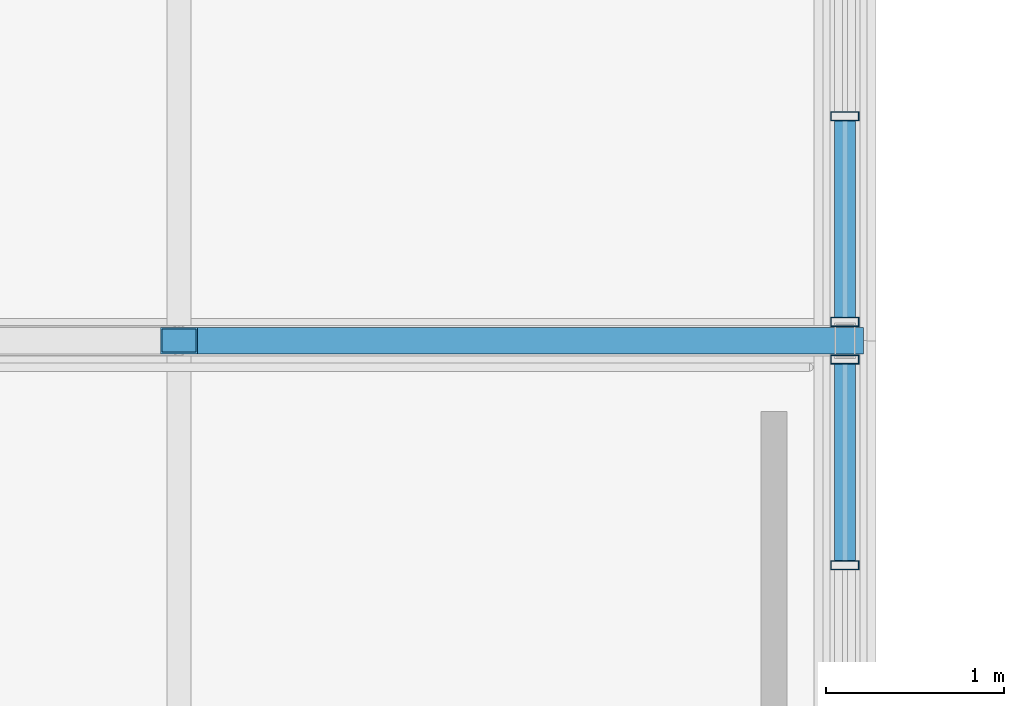
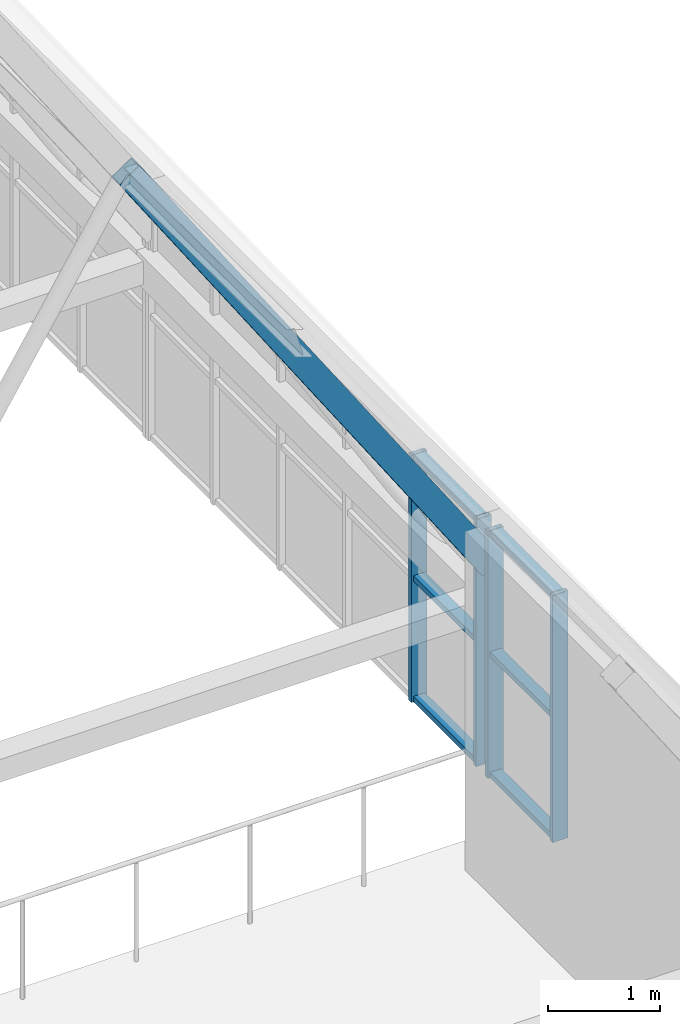
# One storey, part 220 of 324: 11 members, 2 elements without a shape of their own.
"""IFC4 building model written with IfcOpenShell, lengths in metres."""

import ifcopenshell
import ifcopenshell.guid

model = None  # the IFC model being written
_history = None  # IfcOwnerHistory: only IFC2X3 demands one
_inside = {}  # id of a spatial element -> (the spatial element, [elements in it])
_under = {}  # id of a project, library or spatial element -> (it, [spatial elements below it])
_declared = {}  # id of a project -> (the project, [libraries it declares])
_typed = {}  # id of a type object -> (the type object, [elements of that type])
_made_of = {}  # id of a material, layer set ... -> (it, [elements and type objects made of it])


def new_model(schema):
    """Start an empty IFC model of exactly this schema.

    Asked for "IFC4X3", IfcOpenShell would pick the latest addendum, in which some entities
    have other attributes; the version numbers below select the first issue.
    IFC2X3 requires an IfcOwnerHistory on every rooted entity: one is made here for all.
    """
    global model, _history
    if schema == "IFC4X3":
        model = ifcopenshell.file(schema_version=(4, 3, 0, 0))
    else:
        model = ifcopenshell.file(schema=schema)
    _inside.clear()
    _under.clear()
    _declared.clear()
    _typed.clear()
    _made_of.clear()
    _history = None
    if model.schema == "IFC2X3":
        org = make("IfcOrganization", Name="unknown")
        user = make(
            "IfcPersonAndOrganization",
            ThePerson=make("IfcPerson", FamilyName="unknown"),
            TheOrganization=org,
        )
        app = make(
            "IfcApplication",
            ApplicationDeveloper=org,
            Version="unknown",
            ApplicationFullName="unknown",
            ApplicationIdentifier="unknown",
        )
        _history = make(
            "IfcOwnerHistory",
            OwningUser=user,
            OwningApplication=app,
            ChangeAction="ADDED",
            CreationDate=0,
        )
    return model


def make(cls, **values):
    """One entity of the class cls with the attributes given. An attribute that is None is left unset."""
    return model.create_entity(
        cls, **{name: value for name, value in values.items() if value is not None}
    )


def rooted(cls, **values):
    """An entity with a GlobalId (a new one), such as an element, a storey or a relation."""
    return make(cls, GlobalId=ifcopenshell.guid.new(), OwnerHistory=_history, **values)


def si_unit(unit_type, name, prefix=None):
    """IfcSIUnit, for example si_unit("LENGTHUNIT", "METRE", prefix="MILLI")."""
    return make("IfcSIUnit", UnitType=unit_type, Prefix=prefix, Name=name)


def assignment(units):
    """IfcUnitAssignment: the units of a project."""
    return None if units is None else make("IfcUnitAssignment", Units=units)


def point(xyz):
    """IfcCartesianPoint."""
    return None if xyz is None else make("IfcCartesianPoint", Coordinates=xyz)


def direction(xyz):
    """IfcDirection."""
    return None if xyz is None else make("IfcDirection", DirectionRatios=xyz)


def frame(location, z_axis=None, x_axis=None):
    """IfcAxis2Placement3D, a coordinate frame: its origin and axes. An axis left out is left unset."""
    return make(
        "IfcAxis2Placement3D",
        Location=point(location),
        Axis=direction(z_axis),
        RefDirection=direction(x_axis),
    )


def frame_2d(location, x_axis=None):
    """IfcAxis2Placement2D, a coordinate frame in the plane: its origin and x axis."""
    return make(
        "IfcAxis2Placement2D", Location=point(location), RefDirection=direction(x_axis)
    )


def origin():
    """The frame at (0, 0, 0) with its axes left unset."""
    return frame((0.0, 0.0, 0.0))


def origin_2d():
    """The frame at (0, 0) in the plane with its x axis left unset."""
    return frame_2d((0.0, 0.0))


def place(relative_to, where):
    """IfcLocalPlacement: puts the frame where relative to a parent placement (None: the world)."""
    return make(
        "IfcLocalPlacement", PlacementRelTo=relative_to, RelativePlacement=where
    )


def context(
    kind, dimensions, precision=None, world=None, true_north=None, identifier=None
):
    """IfcGeometricRepresentationContext, for example the 3D "Model" context."""
    return make(
        "IfcGeometricRepresentationContext",
        ContextIdentifier=identifier,
        ContextType=kind,
        CoordinateSpaceDimension=dimensions,
        Precision=precision,
        WorldCoordinateSystem=world,
        TrueNorth=true_north,
    )


def subcontext(parent, identifier, kind, view, scale=None):
    """IfcGeometricRepresentationSubContext, for example "Body" below "Model"."""
    return make(
        "IfcGeometricRepresentationSubContext",
        ContextIdentifier=identifier,
        ContextType=kind,
        ParentContext=parent,
        TargetScale=scale,
        TargetView=view,
    )


def project(units=None, contexts=None):
    """IfcProject with its units and contexts."""
    return rooted(
        "IfcProject",
        Name="project",
        RepresentationContexts=contexts,
        UnitsInContext=assignment(units),
    )


def spatial(cls, under=None, at=None, **own):
    """A site, building, storey or space (cls), placed at a placement, below another one or the project."""
    s = rooted(cls, ObjectPlacement=at, **own)
    if under is not None:
        _under.setdefault(under.id(), (under, []))[1].append(s)
    return s


def profile(cls, at=None, kind="AREA", **sizes):
    """A parametric profile (cls). Its sizes go by their IFC names, for example OverallWidth=200.0."""
    return make(cls, ProfileType=kind, Position=at, **sizes)


def hollow_rectangle(**sizes):
    """IfcRectangleHollowProfileDef."""
    return profile("IfcRectangleHollowProfileDef", **sizes)


def extrude(swept, where, along, depth):
    """IfcExtrudedAreaSolid: the profile swept, set in the frame where, extruded along a direction by depth."""
    return make(
        "IfcExtrudedAreaSolid",
        SweptArea=swept,
        Position=where,
        ExtrudedDirection=direction(along),
        Depth=depth,
    )


def shape(context_of_items, identifier, shape_type, items):
    """IfcShapeRepresentation: the items that make up one representation, for example the "Body"."""
    return make(
        "IfcShapeRepresentation",
        ContextOfItems=context_of_items,
        RepresentationIdentifier=identifier,
        RepresentationType=shape_type,
        Items=items,
    )


def material(Name=None, Category=None):
    """IfcMaterial."""
    return make("IfcMaterial", Name=Name, Category=Category)


def layer(
    of_material, thickness, ventilated=None, Name=None, Category=None, Priority=None
):
    """IfcMaterialLayer: one layer of a wall or slab, of a material (None: an air gap)."""
    return make(
        "IfcMaterialLayer",
        Material=of_material,
        LayerThickness=thickness,
        IsVentilated=ventilated,
        Name=Name,
        Category=Category,
        Priority=Priority,
    )


def layer_set(layers, Name=None):
    """IfcMaterialLayerSet."""
    return make("IfcMaterialLayerSet", MaterialLayers=layers, LayerSetName=Name)


def material_profile(
    of_material, cross_section, Name=None, Category=None, Priority=None
):
    """IfcMaterialProfile: a cross section and its material."""
    return make(
        "IfcMaterialProfile",
        Name=Name,
        Material=of_material,
        Profile=cross_section,
        Priority=Priority,
        Category=Category,
    )


def profile_set(profiles, Name=None, composite=None):
    """IfcMaterialProfileSet."""
    return make(
        "IfcMaterialProfileSet",
        Name=Name,
        MaterialProfiles=profiles,
        CompositeProfile=composite,
    )


def made_of(thing, what):
    """Note that an element or type object is made of a material, layer set ...; save() writes the relation."""
    if what is not None:
        _made_of.setdefault(what.id(), (what, []))[1].append(thing)
    return thing


def type_object(cls, material=None, **own):
    """A type object (cls), such as IfcWallType, which elements share."""
    return made_of(rooted(cls, **own), material)


def element(
    cls,
    number,
    at=None,
    inside=None,
    cuts=None,
    type_object=None,
    material=None,
    context=None,
    identifier="Body",
    shape_type=None,
    held_by="IfcProductDefinitionShape",
    body=None,
    shapes=None,
    **own,
):
    """One element of the class cls, such as IfcWall. Its Tag is "e" and its number.

    at: its placement. inside: the storey or other place that contains it. cuts: it is an
    opening in that element (IfcRelVoidsElement). A single representation is given by context,
    identifier, shape_type and body (its items); several are given by shapes. held_by: the class
    of the entity that holds the representations. save() writes the other relations.
    """
    e = rooted(cls, Tag="e%d" % number, ObjectPlacement=at, **own)
    if body is not None:
        shapes = [shape(context, identifier, shape_type, body)]
    if shapes is not None:
        e.Representation = make(held_by, Representations=shapes)
    if inside is not None:
        _inside.setdefault(inside.id(), (inside, []))[1].append(e)
    if cuts is not None:
        rooted(
            "IfcRelVoidsElement", RelatingBuildingElement=cuts, RelatedOpeningElement=e
        )
    if type_object is not None:
        _typed.setdefault(type_object.id(), (type_object, []))[1].append(e)
    return made_of(e, material)


def aggregate(whole, parts):
    """IfcRelAggregates: a whole, such as a stair, and the parts it consists of."""
    return rooted("IfcRelAggregates", RelatingObject=whole, RelatedObjects=parts)


def save(model, path):
    """Write the relations noted so far, then the file.

    IfcRelAggregates (storeys below a building ...), IfcRelContainedInSpatialStructure (elements
    in a storey), IfcRelDefinesByType, IfcRelAssociatesMaterial and IfcRelDeclares: one each for
    every whole, place, type object, material and project.
    """
    for whole, parts in _under.values():
        aggregate(whole, parts)
    for where, things in _inside.values():
        rooted(
            "IfcRelContainedInSpatialStructure",
            RelatedElements=things,
            RelatingStructure=where,
        )
    for kind, things in _typed.values():
        rooted("IfcRelDefinesByType", RelatedObjects=things, RelatingType=kind)
    for what, things in _made_of.values():
        rooted("IfcRelAssociatesMaterial", RelatedObjects=things, RelatingMaterial=what)
    for by, libraries in _declared.values():
        rooted("IfcRelDeclares", RelatingContext=by, RelatedDefinitions=libraries)
    model.write(path)


model = new_model("IFC4")

# Units and contexts
model_context = context("Model", 3, precision=1e-05, world=origin(), true_north=direction((0.0, 1.0)))
body_context = subcontext(model_context, "Body", "Model", "MODEL_VIEW")
ifc_project = project(units=[si_unit("LENGTHUNIT", "METRE"), si_unit("AREAUNIT", "SQUARE_METRE"), si_unit("VOLUMEUNIT", "CUBIC_METRE"), si_unit("PLANEANGLEUNIT", "RADIAN"), si_unit("MASSUNIT", "GRAM", prefix="KILO")], contexts=[model_context])

# Site, building, storey
site_placement = place(None, origin())
site = spatial("IfcSite", under=ifc_project, at=site_placement, CompositionType="ELEMENT")
building_placement = place(site_placement, origin())
building = spatial("IfcBuilding", under=site, at=building_placement, Name="Solvenia Promenade Tram Depot", CompositionType="ELEMENT")
storey_placement = place(building_placement, frame((0.0, 0.0, 4.5)))
storey = spatial("IfcBuildingStorey", under=building, at=storey_placement, Name="L01", CompositionType="ELEMENT", Elevation=4.5)

# Curtain wall, members
ifc_material_1 = material(Name="Anodized aluminium AW-6063 T6", Category="aluminium")
ifc_layer = layer(ifc_material_1, 0.159912109375, Name="Anodized aluminium AW-6063 T6", Category="aluminium")
ifc_layer_set = layer_set([ifc_layer], Name="Anodized aluminium AW-6063 T6")
curtain_wall_type = type_object("IfcCurtainWallType", Name="CW-Channel-1200", PredefinedType="NOTDEFINED", material=ifc_layer_set)
curtain_wall_1_placement = place(storey_placement, origin())
curtain_wall_1 = element("IfcCurtainWall", 1, at=curtain_wall_1_placement, inside=storey, type_object=curtain_wall_type, Name="Curtain Wall CW-V1E-02", PredefinedType="NOTDEFINED")
ifc_material_profile_1 = material_profile(ifc_material_1, hollow_rectangle(XDim=0.159912109375, YDim=0.052001953125, WallThickness=0.00390625, at=origin_2d()), Name="ALU-M1", Category="aluminium")
ifc_profile_set_1 = profile_set([ifc_material_profile_1], Name="Anodized aluminium AW-6063 T6")
member_type_1 = type_object("IfcMemberType", Name="CWM-Mullion-1", PredefinedType="MULLION", material=ifc_profile_set_1)
member_1_placement = place(storey_placement, frame((150.0, 76.736083984375, 0.699951171875), z_axis=(0.0, 0.0, 1.0), x_axis=(-1.0, 0.0, 0.0)))
member_1 = element("IfcMember", 2, at=member_1_placement, type_object=member_type_1, Name="CW-1 mullion 5", PredefinedType="MULLION", context=body_context, shape_type="SweptSolid", body=[
    extrude(hollow_rectangle(XDim=0.159912109375, YDim=0.052001953125, WallThickness=0.00390625, at=origin_2d()), origin(), (0.0, 0.0, 1.0), 2.699951171875),
])
member_2_placement = place(storey_placement, frame((150.0, 77.89404296875, 0.699951171875), z_axis=(0.0, 0.0, 1.0), x_axis=(-1.0, 0.0, 0.0)))
member_2 = element("IfcMember", 3, at=member_2_placement, type_object=member_type_1, Name="CW-1 mullion 6", PredefinedType="MULLION", context=body_context, shape_type="SweptSolid", body=[
    extrude(hollow_rectangle(XDim=0.159912109375, YDim=0.052001953125, WallThickness=0.00390625, at=origin_2d()), origin(), (0.0, 0.0, 1.0), 2.699951171875),
])

curtain_wall_2_placement = place(storey_placement, origin())
curtain_wall_2 = element("IfcCurtainWall", 4, at=curtain_wall_2_placement, inside=storey, type_object=curtain_wall_type, Name="Curtain Wall CW-V1E-03", PredefinedType="NOTDEFINED")
member_3_placement = place(storey_placement, frame((150.0, 78.10595703125, 0.699951171875), z_axis=(0.0, 0.0, 1.0), x_axis=(-1.0, 0.0, 0.0)))
member_3 = element("IfcMember", 5, at=member_3_placement, type_object=member_type_1, Name="CW-1 mullion 1", PredefinedType="MULLION", context=body_context, shape_type="SweptSolid", body=[
    extrude(hollow_rectangle(XDim=0.159912109375, YDim=0.052001953125, WallThickness=0.00390625, at=origin_2d()), origin(), (0.0, 0.0, 1.0), 2.699951171875),
])
member_4_placement = place(storey_placement, frame((150.0, 79.263916015625, 0.699951171875), z_axis=(0.0, 0.0, 1.0), x_axis=(-1.0, 0.0, 0.0)))
member_4 = element("IfcMember", 6, at=member_4_placement, type_object=member_type_1, Name="CW-1 mullion 2", PredefinedType="MULLION", context=body_context, shape_type="SweptSolid", body=[
    extrude(hollow_rectangle(XDim=0.159912109375, YDim=0.052001953125, WallThickness=0.00390625, at=origin_2d()), origin(), (0.0, 0.0, 1.0), 2.699951171875),
])

# Member
ifc_material_profile_2 = material_profile(ifc_material_1, hollow_rectangle(XDim=0.1201171875, YDim=0.06005859375, WallThickness=0.00390625, at=origin_2d()), Name="ALU-T1", Category="aluminium")
ifc_profile_set_2 = profile_set([ifc_material_profile_2], Name="Anodized aluminium AW-6063 T6")
member_type_2 = type_object("IfcMemberType", Name="CWT-Transom-1", PredefinedType="USERDEFINED", material=ifc_profile_set_2)
member_5_placement = place(storey_placement, frame((150.0, 76.761962890625, 0.72998046875), z_axis=(0.0, 1.0, 0.0), x_axis=(-1.0, 0.0, 0.0)))
member_5 = element("IfcMember", 7, at=member_5_placement, type_object=member_type_2, Name="CW-1 transom 5.1", ObjectType="TRANSOM", PredefinedType="USERDEFINED", context=body_context, shape_type="SweptSolid", body=[
    extrude(hollow_rectangle(XDim=0.1201171875, YDim=0.06005859375, WallThickness=0.00390625, at=origin_2d()), origin(), (0.0, 0.0, 1.0), 1.10595703125),
])

member_6_placement = place(storey_placement, frame((150.0, 76.761962890625, 2.050048828125), z_axis=(0.0, 1.0, 0.0), x_axis=(-1.0, 0.0, 0.0)))
member_6 = element("IfcMember", 8, at=member_6_placement, type_object=member_type_2, Name="CW-1 transom 5.2", ObjectType="TRANSOM", PredefinedType="USERDEFINED", context=body_context, shape_type="SweptSolid", body=[
    extrude(hollow_rectangle(XDim=0.1201171875, YDim=0.06005859375, WallThickness=0.00390625, at=origin_2d()), origin(), (0.0, 0.0, 1.0), 1.10595703125),
])

member_7_placement = place(storey_placement, frame((150.0, 76.761962890625, 3.3701171875), z_axis=(0.0, 1.0, 0.0), x_axis=(-1.0, 0.0, 0.0)))
member_7 = element("IfcMember", 9, at=member_7_placement, type_object=member_type_2, Name="CW-1 transom 5.3", ObjectType="TRANSOM", PredefinedType="USERDEFINED", context=body_context, shape_type="SweptSolid", body=[
    extrude(hollow_rectangle(XDim=0.1201171875, YDim=0.06005859375, WallThickness=0.00390625, at=origin_2d()), origin(), (0.0, 0.0, 1.0), 1.10595703125),
])

aggregate(curtain_wall_1, [member_1, member_2, member_5, member_6, member_7])

member_8_placement = place(storey_placement, frame((150.0, 78.132080078125, 0.72998046875), z_axis=(0.0, 1.0, 0.0), x_axis=(-1.0, 0.0, 0.0)))
member_8 = element("IfcMember", 10, at=member_8_placement, type_object=member_type_2, Name="CW-1 transom 1.1", ObjectType="TRANSOM", PredefinedType="USERDEFINED", context=body_context, shape_type="SweptSolid", body=[
    extrude(hollow_rectangle(XDim=0.1201171875, YDim=0.06005859375, WallThickness=0.00390625, at=origin_2d()), origin(), (0.0, 0.0, 1.0), 1.10595703125),
])

member_9_placement = place(storey_placement, frame((150.0, 78.132080078125, 2.050048828125), z_axis=(0.0, 1.0, 0.0), x_axis=(-1.0, 0.0, 0.0)))
member_9 = element("IfcMember", 11, at=member_9_placement, type_object=member_type_2, Name="CW-1 transom 1.2", ObjectType="TRANSOM", PredefinedType="USERDEFINED", context=body_context, shape_type="SweptSolid", body=[
    extrude(hollow_rectangle(XDim=0.1201171875, YDim=0.06005859375, WallThickness=0.00390625, at=origin_2d()), origin(), (0.0, 0.0, 1.0), 1.10595703125),
])

member_10_placement = place(storey_placement, frame((150.0, 78.132080078125, 3.3701171875), z_axis=(0.0, 1.0, 0.0), x_axis=(-1.0, 0.0, 0.0)))
member_10 = element("IfcMember", 12, at=member_10_placement, type_object=member_type_2, Name="CW-1 transom 1.3", ObjectType="TRANSOM", PredefinedType="USERDEFINED", context=body_context, shape_type="SweptSolid", body=[
    extrude(hollow_rectangle(XDim=0.1201171875, YDim=0.06005859375, WallThickness=0.00390625, at=origin_2d()), origin(), (0.0, 0.0, 1.0), 1.10595703125),
])

aggregate(curtain_wall_2, [member_3, member_4, member_8, member_9, member_10])

ifc_material_2 = material(Name="Structural steel ASTM A500 Gr. C", Category="steel")
ifc_material_profile_3 = material_profile(ifc_material_2, hollow_rectangle(XDim=0.14990234375, YDim=0.25, WallThickness=0.010009765625, at=origin_2d()), Name="HSS250x150x10", Category="steel")
ifc_profile_set_3 = profile_set([ifc_material_profile_3], Name="Structural steel ASTM A500 Gr. C")
member_type_3 = type_object("IfcMemberType", Name="Chord-HSS250x150x10", PredefinedType="CHORD", material=ifc_profile_set_3)
member_11_placement = place(storey_placement, frame((146.25, 78.0, 8.54443359375), z_axis=(0.557276274528, 0.0, -0.830327136644), x_axis=(0.0, 1.0, 0.0)))
element("IfcMember", 13, at=member_11_placement, inside=storey, type_object=member_type_3, Name="Zigzag Gable 10 East Lower Rafter", PredefinedType="CHORD", context=body_context, shape_type="SweptSolid", body=[
    extrude(hollow_rectangle(XDim=0.14990234375, YDim=0.25, WallThickness=0.010009765625, at=origin_2d()), origin(), (0.0, 0.0, 1.0), 6.729248046875),
])

save(model, "model.ifc")
